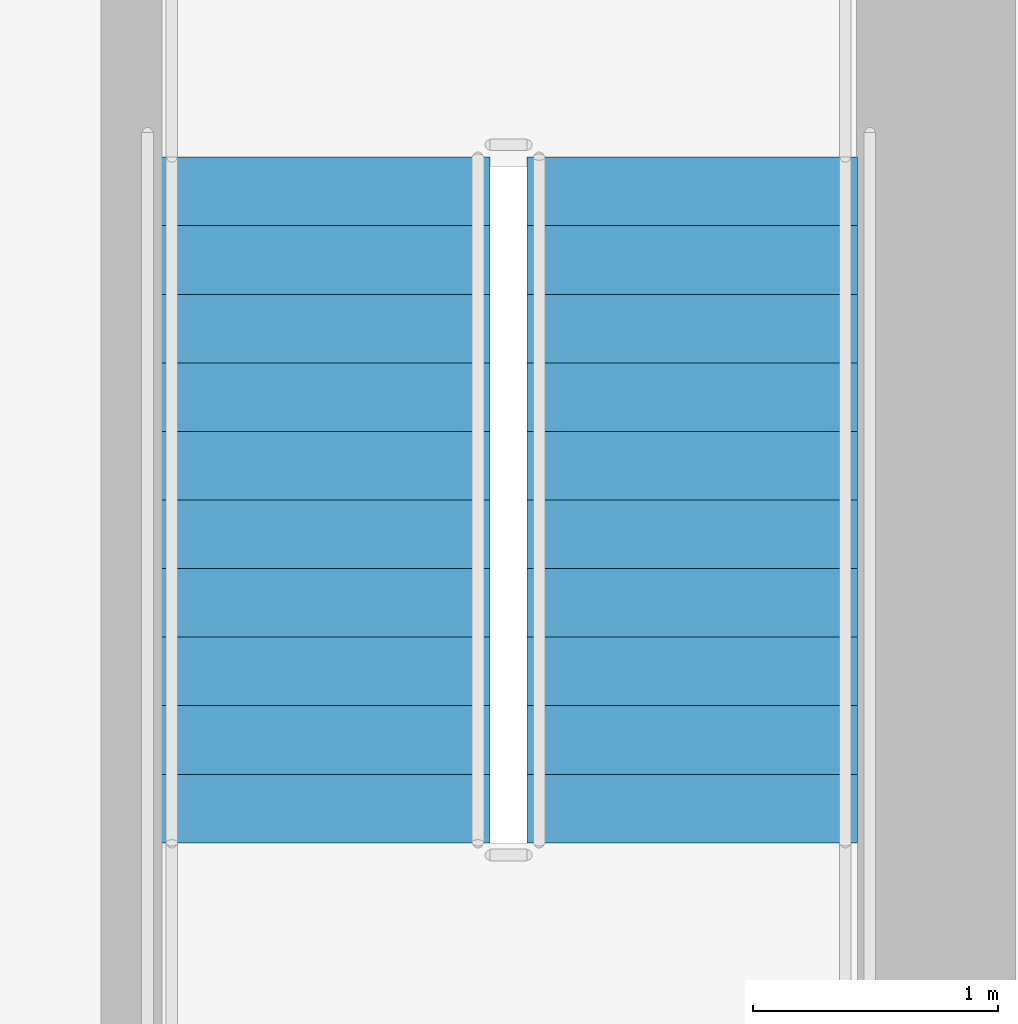
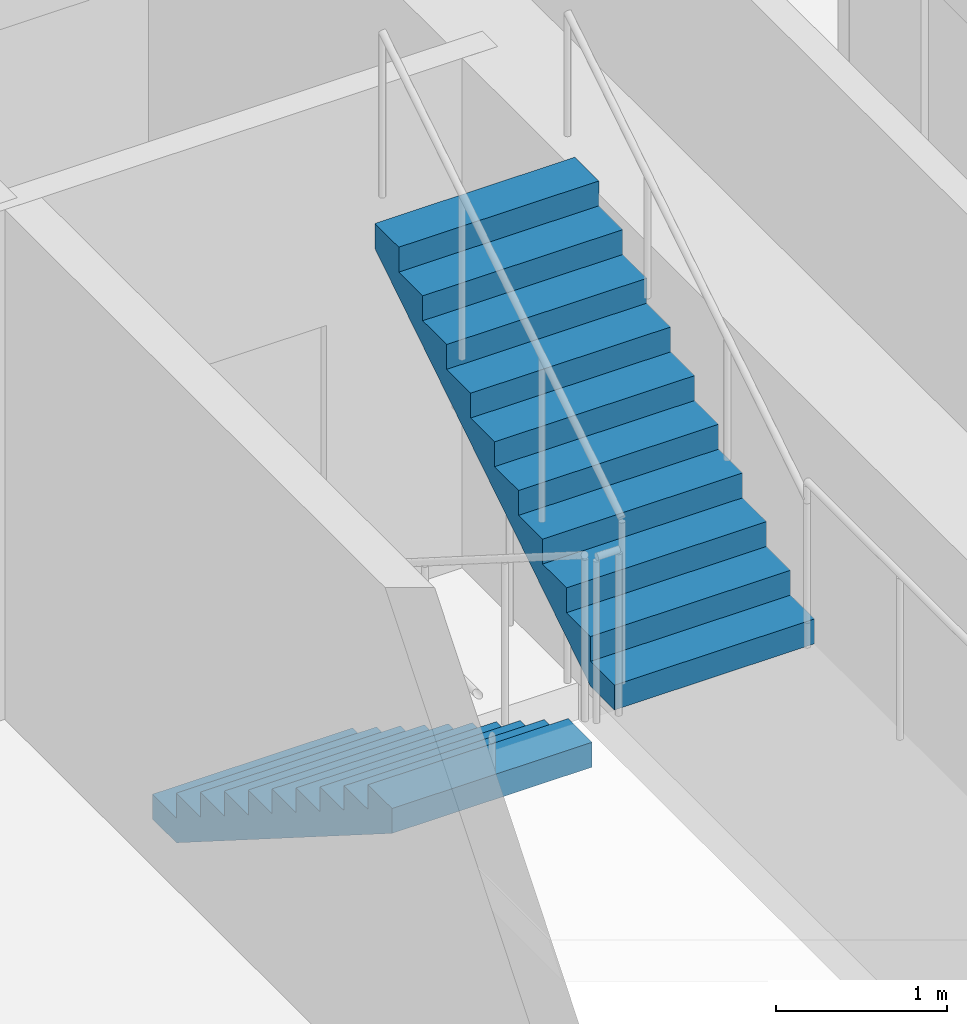
# One storey, part 9 of 14: 2 stair flights, 1 element without a shape of its own.
"""IFC4 building model written with IfcOpenShell, lengths in metres."""

from ifc_helpers import new_model, si_unit, direction, frame, origin, place, context, subcontext, project, spatial, polyline, outline, extrude, material, type_object, element, aggregate, save


model = new_model("IFC4")

# Units and contexts
model_context = context("Model", 3, precision=1e-05, world=origin(), true_north=direction((0.0, 1.0)))
body_context = subcontext(model_context, "Body", "Model", "MODEL_VIEW")
ifc_project = project(units=[si_unit("LENGTHUNIT", "METRE"), si_unit("AREAUNIT", "SQUARE_METRE"), si_unit("VOLUMEUNIT", "CUBIC_METRE"), si_unit("PLANEANGLEUNIT", "RADIAN"), si_unit("MASSUNIT", "GRAM", prefix="KILO")], contexts=[model_context])

# Site, building, storey
site_placement = place(None, origin())
site = spatial("IfcSite", under=ifc_project, at=site_placement, CompositionType="ELEMENT")
building_placement = place(site_placement, origin())
building = spatial("IfcBuilding", under=site, at=building_placement, Name="Voryun Gate Residences", CompositionType="ELEMENT")
storey_placement = place(building_placement, frame((0.0, 0.0, 291.199951171875)))
storey = spatial("IfcBuildingStorey", under=building, at=storey_placement, Name="L72", CompositionType="ELEMENT", Elevation=291.199951171875)

# Stair, stair flights
ifc_material_1 = material(Name="Concrete C40/50", Category="concrete")
stair_type = type_object("IfcStairType", Name="STR_CORE_DOGLEG_1350", PredefinedType="HALF_TURN_STAIR", material=ifc_material_1)
stair_placement = place(storey_placement, origin())
stair = element("IfcStair", 1, at=stair_placement, inside=storey, type_object=stair_type, Name="L72 Special Escape Stair ST-E1", PredefinedType="HALF_TURN_STAIR")
ifc_material_2 = material(Name="Concrete C40/50", Category="concrete")
stair_flight_type = type_object("IfcStairFlightType", Name="FLT_CORE_1350", PredefinedType="STRAIGHT", material=ifc_material_2)
stair_flight_1_placement = place(storey_placement, frame((16.64990234375, -0.800048828125, 0.0), z_axis=(0.0, 0.0, 1.0), x_axis=(0.0, -1.0, 0.0)))
stair_flight_1 = element("IfcStairFlight", 2, at=stair_flight_1_placement, type_object=stair_flight_type, Name="ST-E1 flight 1", NumberOfRisers=11, NumberOfTreads=10, PredefinedType="STRAIGHT", RiserHeight=0.177272727, TreadLength=0.28, context=body_context, shape_type="SweptSolid", body=[
    extrude(outline(polyline([(0.0, 0.0), (0.0, 0.17724609375), (0.280029296875, 0.17724609375), (0.280029296875, 0.3544921875), (0.56005859375, 0.3544921875), (0.56005859375, 0.53173828125), (0.840087890625, 0.53173828125), (0.840087890625, 0.708984375), (1.1201171875, 0.708984375), (1.1201171875, 0.886474609375), (1.39990234375, 0.886474609375), (1.39990234375, 1.063720703125), (1.679931640625, 1.063720703125), (1.679931640625, 1.240966796875), (1.9599609375, 1.240966796875), (1.9599609375, 1.418212890625), (2.239990234375, 1.418212890625), (2.239990234375, 1.595458984375), (2.52001953125, 1.595458984375), (2.52001953125, 1.772705078125), (2.800048828125, 1.772705078125), (2.800048828125, 1.949951171875), (2.800048828125, 1.59521484375), (0.2802734375, 0.0), (0.0, 0.0)])), frame((0.0, 0.675048828125, 0.0), z_axis=(0.0, -1.0, 0.0), x_axis=(1.0, 0.0, 0.0)), (0.0, 0.0, 1.0), 1.35009765625),
])
stair_flight_2_placement = place(storey_placement, frame((18.14990234375, -3.60009765625, 1.949951171875), z_axis=(0.0, 0.0, 1.0), x_axis=(0.0, 1.0, 0.0)))
stair_flight_2 = element("IfcStairFlight", 3, at=stair_flight_2_placement, type_object=stair_flight_type, Name="ST-E1 flight 2", NumberOfRisers=11, NumberOfTreads=10, PredefinedType="STRAIGHT", RiserHeight=0.177272727, TreadLength=0.28, context=body_context, shape_type="SweptSolid", body=[
    extrude(outline(polyline([(0.0, 0.0), (0.0, 0.17724609375), (0.280029296875, 0.17724609375), (0.280029296875, 0.3544921875), (0.56005859375, 0.3544921875), (0.56005859375, 0.53173828125), (0.840087890625, 0.53173828125), (0.840087890625, 0.708984375), (1.1201171875, 0.708984375), (1.1201171875, 0.886474609375), (1.39990234375, 0.886474609375), (1.39990234375, 1.063720703125), (1.679931640625, 1.063720703125), (1.679931640625, 1.240966796875), (1.9599609375, 1.240966796875), (1.9599609375, 1.418212890625), (2.239990234375, 1.418212890625), (2.239990234375, 1.595458984375), (2.52001953125, 1.595458984375), (2.52001953125, 1.772705078125), (2.800048828125, 1.772705078125), (2.800048828125, 1.949951171875), (2.800048828125, 1.59521484375), (0.2802734375, 0.0), (0.0, 0.0)])), frame((0.0, 0.675048828125, 0.0), z_axis=(0.0, -1.0, 0.0), x_axis=(1.0, 0.0, 0.0)), (0.0, 0.0, 1.0), 1.35009765625),
])
aggregate(stair, [stair_flight_1, stair_flight_2])

save(model, "model.ifc")
